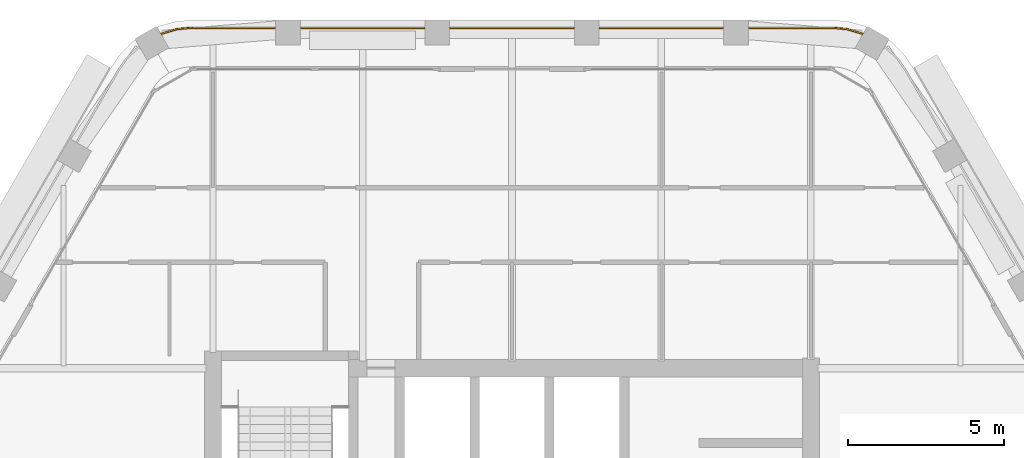
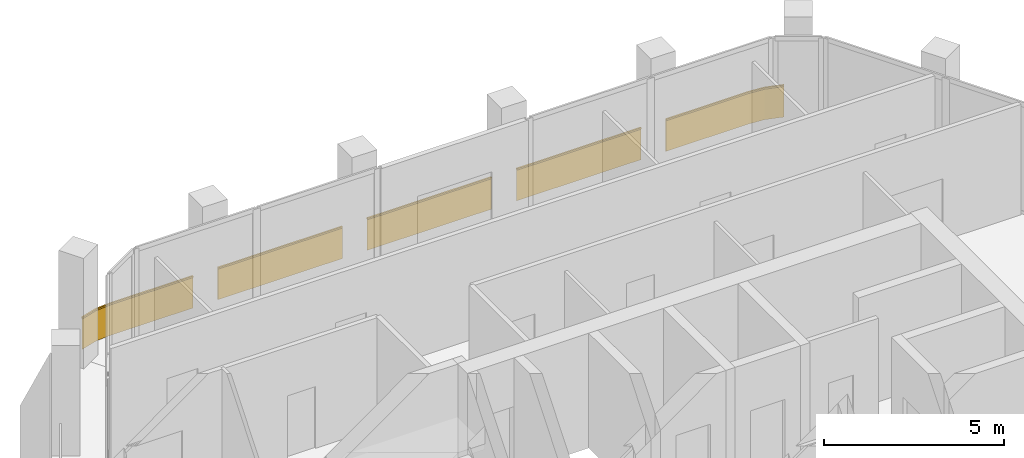
# One storey, part 13 of 13: 1 railing.
"""IFC4 building model written with IfcOpenShell, lengths in metres."""

from ifc_helpers import new_model, si_unit, direction, frame, frame_2d, origin, origin_2d, place, context, subcontext, project, spatial, rectangle, extrude, material, type_object, element, save


model = new_model("IFC4")

# Units and contexts
model_context = context("Model", 3, precision=1e-05, world=origin(), true_north=direction((0.0, 1.0)))
body_context = subcontext(model_context, "Body", "Model", "MODEL_VIEW")
ifc_project = project(units=[si_unit("LENGTHUNIT", "METRE"), si_unit("AREAUNIT", "SQUARE_METRE"), si_unit("VOLUMEUNIT", "CUBIC_METRE"), si_unit("PLANEANGLEUNIT", "RADIAN"), si_unit("MASSUNIT", "GRAM", prefix="KILO")], contexts=[model_context])

# Site, building, storey
site_placement = place(None, origin())
site = spatial("IfcSite", under=ifc_project, at=site_placement, CompositionType="ELEMENT")
building_placement = place(site_placement, origin())
building = spatial("IfcBuilding", under=site, at=building_placement, Name="Kolab Exchange Tower", CompositionType="ELEMENT")
storey_placement = place(building_placement, frame((0.0, 0.0, 289.10009765625)))
storey = spatial("IfcBuildingStorey", under=building, at=storey_placement, Name="L65", CompositionType="ELEMENT", Elevation=289.10009765625)

# Railing
ifc_material = material(Name="Steel S235", Category="steel")
railing_type = type_object("IfcRailingType", Name="GUARD 1100 GLASS BALUSTRADE AND STEEL TOP RAIL", PredefinedType="GUARDRAIL", material=ifc_material)
railing_placement = place(storey_placement, frame((11.280517578125, 20.335205078125, 0.0)))
element("IfcRailing", 1, at=railing_placement, inside=storey, type_object=railing_type, Name="Guard", PredefinedType="GUARDRAIL", context=body_context, shape_type="SweptSolid", body=[
    extrude(rectangle(XDim=0.05, YDim=0.05, at=origin_2d()), frame((0.0, 0.0, 1.0751953125), z_axis=(-0.959212061764, 0.282687496304, 0.0), x_axis=(-0.282687496304, -0.959212061764, 0.0)), (0.0, 0.0, 1.0), 0.557861328125),
    extrude(rectangle(XDim=0.012, YDim=1.05009765625, at=frame_2d((0.0, 0.525146484375))), frame((0.0, 0.0, 0.0), z_axis=(-0.959212061764, 0.282687496304, 0.0), x_axis=(-0.282687496304, -0.959212061764, 0.0)), (0.0, 0.0, 1.0), 0.557861328125),
    extrude(rectangle(XDim=0.05, YDim=0.05, at=origin_2d()), frame((-0.53515625, 0.15771484375, 1.0751953125), z_axis=(-0.996196482496, 0.087135344505, 0.0), x_axis=(-0.087135344505, -0.996196482496, 0.0)), (0.0, 0.0, 1.0), 0.47900390625),
    extrude(rectangle(XDim=0.012, YDim=1.05009765625, at=frame_2d((0.0, 0.525146484375))), frame((-0.53515625, 0.15771484375, 0.0), z_axis=(-0.996196482496, 0.087135344505, 0.0), x_axis=(-0.087135344505, -0.996196482496, 0.0)), (0.0, 0.0, 1.0), 0.47900390625),
    extrude(rectangle(XDim=0.05, YDim=0.05, at=origin_2d()), frame((-1.012451171875, 0.199462890625, 1.0751953125), z_axis=(-1.0, 0.0, 0.0), x_axis=(0.0, -1.0, 0.0)), (0.0, 0.0, 1.0), 2.66796875),
    extrude(rectangle(XDim=0.012, YDim=1.05009765625, at=frame_2d((0.0, 0.525146484375))), frame((-1.012451171875, 0.199462890625, 0.0), z_axis=(-1.0, 0.0, 0.0), x_axis=(0.0, -1.0, 0.0)), (0.0, 0.0, 1.0), 2.66796875),
    extrude(rectangle(XDim=0.05, YDim=0.05, at=origin_2d()), frame((-4.48046875, 0.199462890625, 1.0751953125), z_axis=(-1.0, 0.0, 0.0), x_axis=(0.0, -1.0, 0.0)), (0.0, 0.0, 1.0), 4.0),
    extrude(rectangle(XDim=0.012, YDim=1.05009765625, at=frame_2d((0.0, 0.525146484375))), frame((-4.48046875, 0.199462890625, 0.0), z_axis=(-1.0, 0.0, 0.0), x_axis=(0.0, -1.0, 0.0)), (0.0, 0.0, 1.0), 4.0),
    extrude(rectangle(XDim=0.05, YDim=0.05, at=origin_2d()), frame((-9.280517578125, 0.199462890625, 1.0751953125), z_axis=(-1.0, 0.0, 0.0), x_axis=(0.0, -1.0, 0.0)), (0.0, 0.0, 1.0), 4.0),
    extrude(rectangle(XDim=0.012, YDim=1.05009765625, at=frame_2d((0.0, 0.525146484375))), frame((-9.280517578125, 0.199462890625, 0.0), z_axis=(-1.0, 0.0, 0.0), x_axis=(0.0, -1.0, 0.0)), (0.0, 0.0, 1.0), 4.0),
    extrude(rectangle(XDim=0.05, YDim=0.05, at=origin_2d()), frame((-14.08056640625, 0.199462890625, 1.0751953125), z_axis=(-1.0, 0.0, 0.0), x_axis=(0.0, -1.0, 0.0)), (0.0, 0.0, 1.0), 4.0),
    extrude(rectangle(XDim=0.012, YDim=1.05009765625, at=frame_2d((0.0, 0.525146484375))), frame((-14.08056640625, 0.199462890625, 0.0), z_axis=(-1.0, 0.0, 0.0), x_axis=(0.0, -1.0, 0.0)), (0.0, 0.0, 1.0), 4.0),
    extrude(rectangle(XDim=0.05, YDim=0.05, at=origin_2d()), frame((-18.880615234375, 0.199462890625, 1.0751953125), z_axis=(-1.0, 0.0, 0.0), x_axis=(0.0, -1.0, 0.0)), (0.0, 0.0, 1.0), 2.66796875),
    extrude(rectangle(XDim=0.012, YDim=1.05009765625, at=frame_2d((0.0, 0.525146484375))), frame((-18.880615234375, 0.199462890625, 0.0), z_axis=(-1.0, 0.0, 0.0), x_axis=(0.0, -1.0, 0.0)), (0.0, 0.0, 1.0), 2.66796875),
    extrude(rectangle(XDim=0.05, YDim=0.05, at=origin_2d()), frame((-21.548583984375, 0.199462890625, 1.0751953125), z_axis=(-0.996196482496, -0.087135344505, 0.0), x_axis=(0.087135344505, -0.996196482496, 0.0)), (0.0, 0.0, 1.0), 0.47900390625),
    extrude(rectangle(XDim=0.012, YDim=1.05009765625, at=frame_2d((0.0, 0.525146484375))), frame((-21.548583984375, 0.199462890625, 0.0), z_axis=(-0.996196482496, -0.087135344505, 0.0), x_axis=(0.087135344505, -0.996196482496, 0.0)), (0.0, 0.0, 1.0), 0.47900390625),
    extrude(rectangle(XDim=0.05, YDim=0.05, at=origin_2d()), frame((-22.02587890625, 0.15771484375, 1.0751953125), z_axis=(-0.959212061764, -0.282687496304, 0.0), x_axis=(0.282687496304, -0.959212061764, 0.0)), (0.0, 0.0, 1.0), 0.557861328125),
    extrude(rectangle(XDim=0.012, YDim=1.05009765625, at=frame_2d((0.0, 0.525146484375))), frame((-22.02587890625, 0.15771484375, 0.0), z_axis=(-0.959212061764, -0.282687496304, 0.0), x_axis=(0.282687496304, -0.959212061764, 0.0)), (0.0, 0.0, 1.0), 0.557861328125),
])

save(model, "model.ifc")
